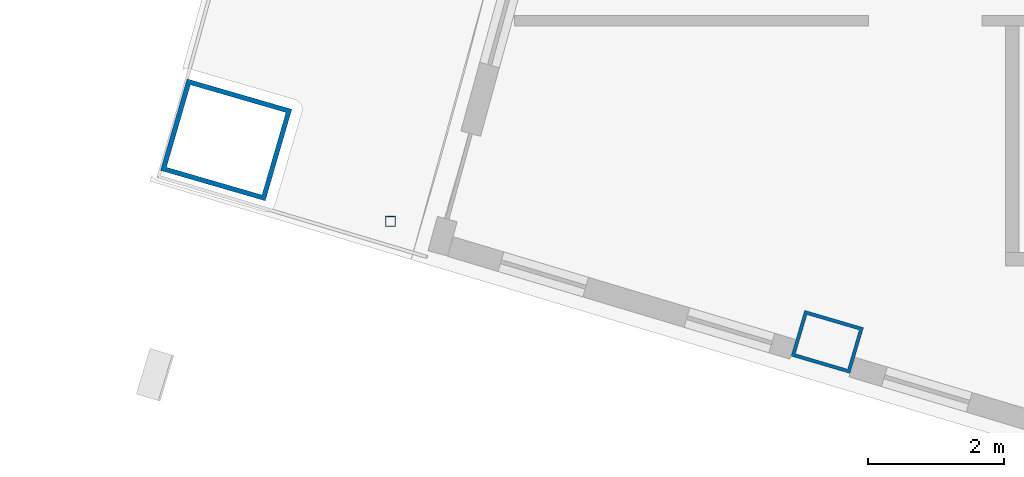
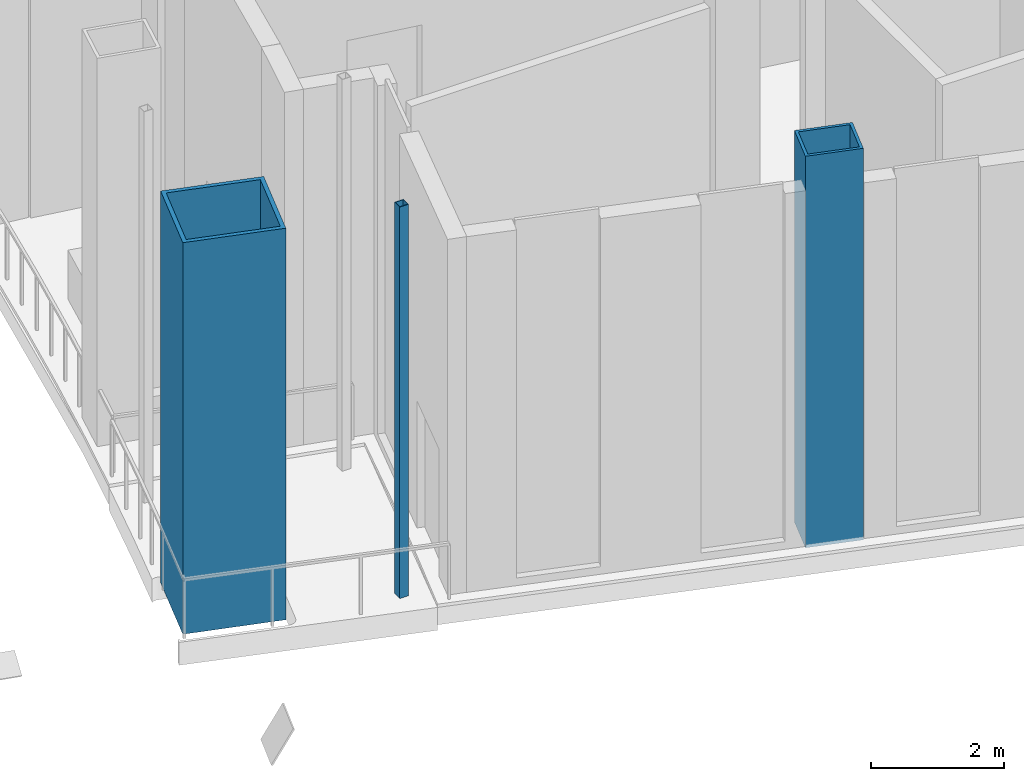
# One storey, part 1 of 25: 3 columns.
"""IFC4 building model written with IfcOpenShell, lengths in metres."""

import ifcopenshell
import ifcopenshell.guid

model = None  # the IFC model being written
_history = None  # IfcOwnerHistory: only IFC2X3 demands one
_inside = {}  # id of a spatial element -> (the spatial element, [elements in it])
_under = {}  # id of a project, library or spatial element -> (it, [spatial elements below it])
_declared = {}  # id of a project -> (the project, [libraries it declares])
_typed = {}  # id of a type object -> (the type object, [elements of that type])
_made_of = {}  # id of a material, layer set ... -> (it, [elements and type objects made of it])


def new_model(schema):
    """Start an empty IFC model of exactly this schema.

    Asked for "IFC4X3", IfcOpenShell would pick the latest addendum, in which some entities
    have other attributes; the version numbers below select the first issue.
    IFC2X3 requires an IfcOwnerHistory on every rooted entity: one is made here for all.
    """
    global model, _history
    if schema == "IFC4X3":
        model = ifcopenshell.file(schema_version=(4, 3, 0, 0))
    else:
        model = ifcopenshell.file(schema=schema)
    _inside.clear()
    _under.clear()
    _declared.clear()
    _typed.clear()
    _made_of.clear()
    _history = None
    if model.schema == "IFC2X3":
        org = make("IfcOrganization", Name="unknown")
        user = make(
            "IfcPersonAndOrganization",
            ThePerson=make("IfcPerson", FamilyName="unknown"),
            TheOrganization=org,
        )
        app = make(
            "IfcApplication",
            ApplicationDeveloper=org,
            Version="unknown",
            ApplicationFullName="unknown",
            ApplicationIdentifier="unknown",
        )
        _history = make(
            "IfcOwnerHistory",
            OwningUser=user,
            OwningApplication=app,
            ChangeAction="ADDED",
            CreationDate=0,
        )
    return model


def make(cls, **values):
    """One entity of the class cls with the attributes given. An attribute that is None is left unset."""
    return model.create_entity(
        cls, **{name: value for name, value in values.items() if value is not None}
    )


def rooted(cls, **values):
    """An entity with a GlobalId (a new one), such as an element, a storey or a relation."""
    return make(cls, GlobalId=ifcopenshell.guid.new(), OwnerHistory=_history, **values)


def si_unit(unit_type, name, prefix=None):
    """IfcSIUnit, for example si_unit("LENGTHUNIT", "METRE", prefix="MILLI")."""
    return make("IfcSIUnit", UnitType=unit_type, Prefix=prefix, Name=name)


def assignment(units):
    """IfcUnitAssignment: the units of a project."""
    return None if units is None else make("IfcUnitAssignment", Units=units)


def point(xyz):
    """IfcCartesianPoint."""
    return None if xyz is None else make("IfcCartesianPoint", Coordinates=xyz)


def direction(xyz):
    """IfcDirection."""
    return None if xyz is None else make("IfcDirection", DirectionRatios=xyz)


def frame(location, z_axis=None, x_axis=None):
    """IfcAxis2Placement3D, a coordinate frame: its origin and axes. An axis left out is left unset."""
    return make(
        "IfcAxis2Placement3D",
        Location=point(location),
        Axis=direction(z_axis),
        RefDirection=direction(x_axis),
    )


def frame_2d(location, x_axis=None):
    """IfcAxis2Placement2D, a coordinate frame in the plane: its origin and x axis."""
    return make(
        "IfcAxis2Placement2D", Location=point(location), RefDirection=direction(x_axis)
    )


def origin():
    """The frame at (0, 0, 0) with its axes left unset."""
    return frame((0.0, 0.0, 0.0))


def origin_2d():
    """The frame at (0, 0) in the plane with its x axis left unset."""
    return frame_2d((0.0, 0.0))


def place(relative_to, where):
    """IfcLocalPlacement: puts the frame where relative to a parent placement (None: the world)."""
    return make(
        "IfcLocalPlacement", PlacementRelTo=relative_to, RelativePlacement=where
    )


def context(
    kind, dimensions, precision=None, world=None, true_north=None, identifier=None
):
    """IfcGeometricRepresentationContext, for example the 3D "Model" context."""
    return make(
        "IfcGeometricRepresentationContext",
        ContextIdentifier=identifier,
        ContextType=kind,
        CoordinateSpaceDimension=dimensions,
        Precision=precision,
        WorldCoordinateSystem=world,
        TrueNorth=true_north,
    )


def subcontext(parent, identifier, kind, view, scale=None):
    """IfcGeometricRepresentationSubContext, for example "Body" below "Model"."""
    return make(
        "IfcGeometricRepresentationSubContext",
        ContextIdentifier=identifier,
        ContextType=kind,
        ParentContext=parent,
        TargetScale=scale,
        TargetView=view,
    )


def project(units=None, contexts=None):
    """IfcProject with its units and contexts."""
    return rooted(
        "IfcProject",
        Name="project",
        RepresentationContexts=contexts,
        UnitsInContext=assignment(units),
    )


def spatial(cls, under=None, at=None, **own):
    """A site, building, storey or space (cls), placed at a placement, below another one or the project."""
    s = rooted(cls, ObjectPlacement=at, **own)
    if under is not None:
        _under.setdefault(under.id(), (under, []))[1].append(s)
    return s


def profile(cls, at=None, kind="AREA", **sizes):
    """A parametric profile (cls). Its sizes go by their IFC names, for example OverallWidth=200.0."""
    return make(cls, ProfileType=kind, Position=at, **sizes)


def hollow_rectangle(**sizes):
    """IfcRectangleHollowProfileDef."""
    return profile("IfcRectangleHollowProfileDef", **sizes)


def extrude(swept, where, along, depth):
    """IfcExtrudedAreaSolid: the profile swept, set in the frame where, extruded along a direction by depth."""
    return make(
        "IfcExtrudedAreaSolid",
        SweptArea=swept,
        Position=where,
        ExtrudedDirection=direction(along),
        Depth=depth,
    )


def shape(context_of_items, identifier, shape_type, items):
    """IfcShapeRepresentation: the items that make up one representation, for example the "Body"."""
    return make(
        "IfcShapeRepresentation",
        ContextOfItems=context_of_items,
        RepresentationIdentifier=identifier,
        RepresentationType=shape_type,
        Items=items,
    )


def material(Name=None, Category=None):
    """IfcMaterial."""
    return make("IfcMaterial", Name=Name, Category=Category)


def material_profile(
    of_material, cross_section, Name=None, Category=None, Priority=None
):
    """IfcMaterialProfile: a cross section and its material."""
    return make(
        "IfcMaterialProfile",
        Name=Name,
        Material=of_material,
        Profile=cross_section,
        Priority=Priority,
        Category=Category,
    )


def profile_set(profiles, Name=None, composite=None):
    """IfcMaterialProfileSet."""
    return make(
        "IfcMaterialProfileSet",
        Name=Name,
        MaterialProfiles=profiles,
        CompositeProfile=composite,
    )


def made_of(thing, what):
    """Note that an element or type object is made of a material, layer set ...; save() writes the relation."""
    if what is not None:
        _made_of.setdefault(what.id(), (what, []))[1].append(thing)
    return thing


def type_object(cls, material=None, **own):
    """A type object (cls), such as IfcWallType, which elements share."""
    return made_of(rooted(cls, **own), material)


def element(
    cls,
    number,
    at=None,
    inside=None,
    cuts=None,
    type_object=None,
    material=None,
    context=None,
    identifier="Body",
    shape_type=None,
    held_by="IfcProductDefinitionShape",
    body=None,
    shapes=None,
    **own,
):
    """One element of the class cls, such as IfcWall. Its Tag is "e" and its number.

    at: its placement. inside: the storey or other place that contains it. cuts: it is an
    opening in that element (IfcRelVoidsElement). A single representation is given by context,
    identifier, shape_type and body (its items); several are given by shapes. held_by: the class
    of the entity that holds the representations. save() writes the other relations.
    """
    e = rooted(cls, Tag="e%d" % number, ObjectPlacement=at, **own)
    if body is not None:
        shapes = [shape(context, identifier, shape_type, body)]
    if shapes is not None:
        e.Representation = make(held_by, Representations=shapes)
    if inside is not None:
        _inside.setdefault(inside.id(), (inside, []))[1].append(e)
    if cuts is not None:
        rooted(
            "IfcRelVoidsElement", RelatingBuildingElement=cuts, RelatedOpeningElement=e
        )
    if type_object is not None:
        _typed.setdefault(type_object.id(), (type_object, []))[1].append(e)
    return made_of(e, material)


def aggregate(whole, parts):
    """IfcRelAggregates: a whole, such as a stair, and the parts it consists of."""
    return rooted("IfcRelAggregates", RelatingObject=whole, RelatedObjects=parts)


def save(model, path):
    """Write the relations noted so far, then the file.

    IfcRelAggregates (storeys below a building ...), IfcRelContainedInSpatialStructure (elements
    in a storey), IfcRelDefinesByType, IfcRelAssociatesMaterial and IfcRelDeclares: one each for
    every whole, place, type object, material and project.
    """
    for whole, parts in _under.values():
        aggregate(whole, parts)
    for where, things in _inside.values():
        rooted(
            "IfcRelContainedInSpatialStructure",
            RelatedElements=things,
            RelatingStructure=where,
        )
    for kind, things in _typed.values():
        rooted("IfcRelDefinesByType", RelatedObjects=things, RelatingType=kind)
    for what, things in _made_of.values():
        rooted("IfcRelAssociatesMaterial", RelatedObjects=things, RelatingMaterial=what)
    for by, libraries in _declared.values():
        rooted("IfcRelDeclares", RelatingContext=by, RelatedDefinitions=libraries)
    model.write(path)


model = new_model("IFC4")

# Units and contexts
model_context = context("Model", 3, precision=1e-05, world=origin(), true_north=direction((0.0, 1.0)))
body_context = subcontext(model_context, "Body", "Model", "MODEL_VIEW")
ifc_project = project(units=[si_unit("LENGTHUNIT", "METRE"), si_unit("AREAUNIT", "SQUARE_METRE"), si_unit("VOLUMEUNIT", "CUBIC_METRE"), si_unit("PLANEANGLEUNIT", "RADIAN"), si_unit("MASSUNIT", "GRAM", prefix="KILO")], contexts=[model_context])

# Site, building, storey
site_placement = place(None, origin())
site = spatial("IfcSite", under=ifc_project, at=site_placement, CompositionType="ELEMENT")
building_placement = place(site_placement, origin())
building = spatial("IfcBuilding", under=site, at=building_placement, Name="Alderwake Tower", CompositionType="ELEMENT")
storey_placement = place(building_placement, frame((0.0, 0.0, 288.800048828125)))
storey = spatial("IfcBuildingStorey", under=building, at=storey_placement, Name="L72", CompositionType="ELEMENT", Elevation=288.800048828125)

# Columns
ifc_material_1 = material(Name="Steel ASTM A572 Grade 50 concrete filled C70/85", Category="concrete")
ifc_material_profile_1 = material_profile(ifc_material_1, hollow_rectangle(XDim=0.699951171875, YDim=0.89990234375, WallThickness=0.050048828125, at=origin_2d()), Name="BOX 900X700X50")
ifc_profile_set_1 = profile_set([ifc_material_profile_1], Name="Steel ASTM A572 Grade 50 concrete filled C70/85")
column_type_1 = type_object("IfcColumnType", Name="End column Z5", PredefinedType="COLUMN", material=ifc_profile_set_1)
column_1_placement = place(storey_placement, frame((21.885498046875, 31.03759765625, 0.0), z_axis=(0.0, 0.0, 1.0), x_axis=(0.282132160283, 0.95937554906, 0.0)))
element("IfcColumn", 1, at=column_1_placement, inside=storey, type_object=column_type_1, Name="Column R02-C1", PredefinedType="COLUMN", context=body_context, shape_type="SweptSolid", body=[
    extrude(hollow_rectangle(XDim=0.699951171875, YDim=0.89990234375, WallThickness=0.050048828125, at=origin_2d()), origin(), (0.0, 0.0, 1.0), 7.199951171875),
])
ifc_material_2 = material(Name="Steel ASTM A500 Grade C", Category="steel")
ifc_material_profile_2 = material_profile(ifc_material_2, hollow_rectangle(XDim=0.15234375, YDim=0.15234375, WallThickness=0.0087890625, at=origin_2d()), Name="HSS6X6X3/8")
ifc_profile_set_2 = profile_set([ifc_material_profile_2], Name="Steel ASTM A500 Grade C")
column_type_2 = type_object("IfcColumnType", Name="Light post HSS6X6X3/8", PredefinedType="COLUMN", material=ifc_profile_set_2)
column_2_placement = place(storey_placement, frame((15.47412109375, 32.805908203125, 0.0), z_axis=(0.0, 0.0, 1.0), x_axis=(1.0, 0.0, 0.0)))
element("IfcColumn", 2, at=column_2_placement, inside=storey, type_object=column_type_2, Name="Terrace post RS2", PredefinedType="COLUMN", context=body_context, shape_type="SweptSolid", body=[
    extrude(hollow_rectangle(XDim=0.15234375, YDim=0.15234375, WallThickness=0.0087890625, at=origin_2d()), origin(), (0.0, 0.0, 1.0), 7.199951171875),
])
ifc_material_3 = material(Name="Steel ASTM A572 Grade 50 concrete filled C70/85", Category="concrete")
ifc_material_profile_3 = material_profile(ifc_material_3, hollow_rectangle(XDim=1.39990234375, YDim=1.60009765625, WallThickness=0.070068359375, at=origin_2d()), Name="BOX 1600X1400X70")
ifc_profile_set_3 = profile_set([ifc_material_profile_3], Name="Steel ASTM A572 Grade 50 concrete filled C70/85")
column_type_3 = type_object("IfcColumnType", Name="Mega column Z5", PredefinedType="COLUMN", material=ifc_profile_set_3)
column_3_placement = place(storey_placement, frame((13.06298828125, 34.00244140625, 0.0), z_axis=(0.0, 0.0, 1.0), x_axis=(0.278612301868, 0.960403657452, 0.0)))
element("IfcColumn", 3, at=column_3_placement, inside=storey, type_object=column_type_3, Name="Column R02-C0", PredefinedType="COLUMN", context=body_context, shape_type="SweptSolid", body=[
    extrude(hollow_rectangle(XDim=1.39990234375, YDim=1.60009765625, WallThickness=0.070068359375, at=origin_2d()), origin(), (0.0, 0.0, 1.0), 7.199951171875),
])

save(model, "model.ifc")
